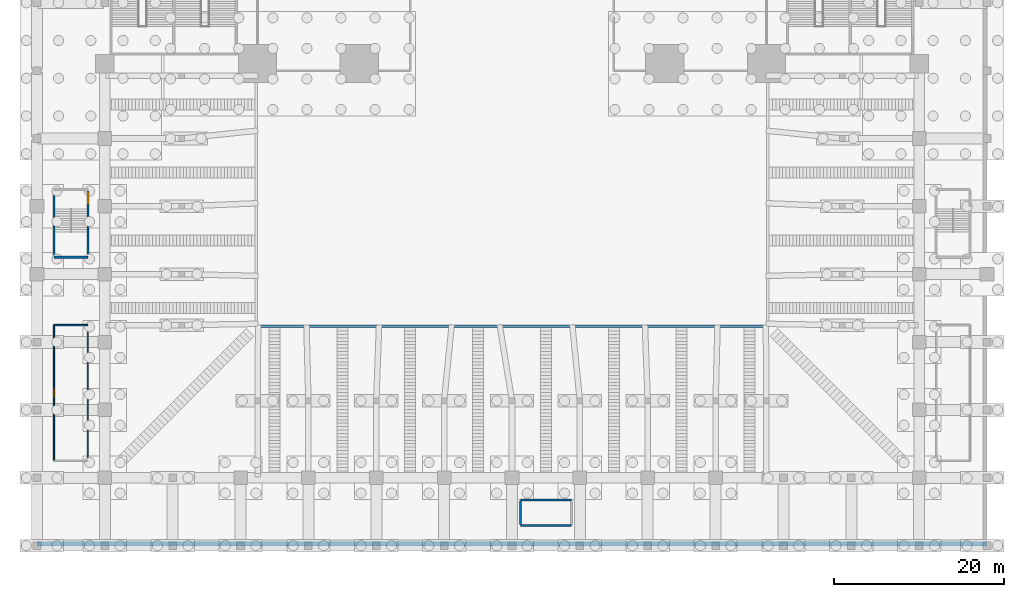
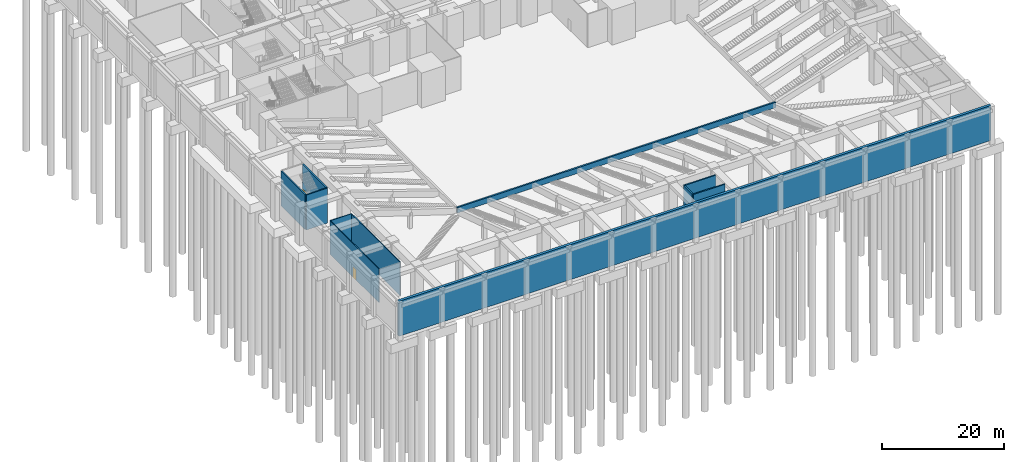
# One storey, part 7 of 30: 11 walls, 2 doors, 2 openings.
"""IFC4 building model written with IfcOpenShell, lengths in metres."""

from ifc_helpers import new_model, si_unit, direction, frame, frame_2d, origin, place, context, subcontext, project, spatial, rectangle, extrude, material, layer, layer_set, type_object, element, fill, save


model = new_model("IFC4")

# Units and contexts
model_context = context("Model", 3, precision=1e-05, world=origin(), true_north=direction((0.0, 1.0)))
body_context = subcontext(model_context, "Body", "Model", "MODEL_VIEW")
ifc_project = project(units=[si_unit("LENGTHUNIT", "METRE"), si_unit("AREAUNIT", "SQUARE_METRE"), si_unit("VOLUMEUNIT", "CUBIC_METRE"), si_unit("PLANEANGLEUNIT", "RADIAN"), si_unit("MASSUNIT", "GRAM", prefix="KILO")], contexts=[model_context])

# Site, building, storey
site_placement = place(None, origin())
site = spatial("IfcSite", under=ifc_project, at=site_placement, CompositionType="ELEMENT")
building_placement = place(site_placement, origin())
building = spatial("IfcBuilding", under=site, at=building_placement, Name="Isbrekke Arena Tower", CompositionType="ELEMENT")
storey_placement = place(building_placement, frame((0.0, 0.0, -7.0)))
storey = spatial("IfcBuildingStorey", under=building, at=storey_placement, Name="B1", CompositionType="ELEMENT", Elevation=-7.0)

# Wall
ifc_material_1 = material(Name="Concrete B45 (C45/55)", Category="concrete")
ifc_layer_1 = layer(ifc_material_1, 0.300048828125)
ifc_layer_set_1 = layer_set([ifc_layer_1], Name="AW2 ARENA PLINTH WALL 300")
wall_type_1 = type_object("IfcWallType", Name="AW2 ARENA PLINTH WALL 300", PredefinedType="SHEAR", material=ifc_layer_set_1)
wall_1_placement = place(storey_placement, frame((-30.14990234375, -48.14990234375, 0.0), z_axis=(0.0, 0.0, 1.0), x_axis=(1.0, 0.0, 0.0)))
element("IfcWall", 1, at=wall_1_placement, inside=storey, type_object=wall_type_1, Name="Arena plinth wall S", PredefinedType="SHEAR", context=body_context, shape_type="SweptSolid", body=[
    extrude(rectangle(XDim=60.2998046875, YDim=0.300048828125, at=frame_2d((30.14990234375, 0.0))), origin(), (0.0, 0.0, 1.0), 1.10009765625),
])

# Wall, opening, door
ifc_material_2 = material(Name="Gypsum board partition on steel studs", Category="steel")
ifc_layer_2 = layer(ifc_material_2, 0.14990234375)
ifc_layer_set_2 = layer_set([ifc_layer_2], Name="IW1 PARTITION 150")
wall_type_2 = type_object("IfcWallType", Name="IW1 PARTITION 150", PredefinedType="PARTITIONING", material=ifc_layer_set_2)
wall_2_placement = place(storey_placement, frame((-54.0, -64.0, 0.0), z_axis=(0.0, 0.0, 1.0), x_axis=(0.0, 1.0, 0.0)))
wall_2 = element("IfcWall", 2, at=wall_2_placement, inside=storey, type_object=wall_type_2, Name="IW1 partition B1", PredefinedType="PARTITIONING", context=body_context, shape_type="SweptSolid", body=[
    extrude(rectangle(XDim=16.0, YDim=0.14990234375, at=frame_2d((8.0, 0.0))), origin(), (0.0, 0.0, 1.0), 6.699951171875),
])
opening_1_placement = place(wall_2_placement, frame((7.5, 0.0, 0.0)))
opening_1 = element("IfcOpeningElement", 3, at=opening_1_placement, cuts=wall_2, Name="Opening D6", PredefinedType="OPENING", context=body_context, shape_type="SweptSolid", body=[
    extrude(rectangle(XDim=1.0, YDim=2.10009765625, at=frame_2d((0.5, 1.050048828125))), frame((0.0, 0.08984375, 0.0), z_axis=(0.0, -1.0, 0.0), x_axis=(1.0, 0.0, 0.0)), (0.0, 0.0, 1.0), 0.1796875),
])
ifc_material_3 = material(Name="Timber door", Category="wood")
door_type_1 = type_object("IfcDoorType", Name="D6 ROOM DOOR 1000 x 2100", OperationType="SINGLE_SWING_LEFT", PredefinedType="DOOR", material=ifc_material_3)
door_1_placement = place(opening_1_placement, origin())
door_1 = element("IfcDoor", 4, at=door_1_placement, inside=storey, type_object=door_type_1, Name="D6 door B1-12", OperationType="SINGLE_SWING_LEFT", OverallHeight=2.10009765625, OverallWidth=1.0, PredefinedType="DOOR", context=body_context, shape_type="SweptSolid", body=[
    extrude(rectangle(XDim=1.0, YDim=2.10009765625, at=frame_2d((0.5, 1.050048828125))), frame((0.0, 0.07470703125, 0.0), z_axis=(0.0, -1.0, 0.0), x_axis=(1.0, 0.0, 0.0)), (0.0, 0.0, 1.0), 0.1494140625),
])
fill(opening_1, door_1)

# Walls
wall_3_placement = place(storey_placement, frame((-50.0, -64.0, 0.0), z_axis=(0.0, 0.0, 1.0), x_axis=(0.0, 1.0, 0.0)))
element("IfcWall", 5, at=wall_3_placement, inside=storey, type_object=wall_type_2, Name="IW1 partition B1", PredefinedType="PARTITIONING", context=body_context, shape_type="SweptSolid", body=[
    extrude(rectangle(XDim=16.0, YDim=0.14990234375, at=frame_2d((8.0, 0.0))), origin(), (0.0, 0.0, 1.0), 6.699951171875),
])
wall_4_placement = place(storey_placement, frame((-54.0, -48.0, 0.0), z_axis=(0.0, 0.0, 1.0), x_axis=(1.0, 0.0, 0.0)))
element("IfcWall", 6, at=wall_4_placement, inside=storey, type_object=wall_type_2, Name="IW1 partition B1", PredefinedType="PARTITIONING", context=body_context, shape_type="SweptSolid", body=[
    extrude(rectangle(XDim=4.0, YDim=0.14990234375, at=frame_2d((2.0, 0.0))), origin(), (0.0, 0.0, 1.0), 6.699951171875),
])
ifc_material_4 = material(Name="Concrete B45 (C45/55)", Category="concrete")
ifc_layer_3 = layer(ifc_material_4, 0.5)
ifc_layer_set_3 = layer_set([ifc_layer_3], Name="RW1 BASEMENT RETAINING WALL 500")
wall_type_3 = type_object("IfcWallType", Name="RW1 BASEMENT RETAINING WALL 500", PredefinedType="SOLIDWALL", material=ifc_layer_set_3)
wall_5_placement = place(storey_placement, frame((-56.0, -73.77490234375, 0.0), z_axis=(0.0, 0.0, 1.0), x_axis=(1.0, 0.0, 0.0)))
element("IfcWall", 7, at=wall_5_placement, inside=storey, type_object=wall_type_3, Name="RW1 retaining wall S", PredefinedType="SOLIDWALL", context=body_context, shape_type="SweptSolid", body=[
    extrude(rectangle(XDim=112.0, YDim=0.5, at=frame_2d((56.0, 0.0))), origin(), (0.0, 0.0, 1.0), 7.0),
])
ifc_material_5 = material(Name="Concrete B45 (C45/55)", Category="concrete")
ifc_layer_4 = layer(ifc_material_5, 0.25)
ifc_layer_set_4 = layer_set([ifc_layer_4], Name="SW1 STAIR ENCLOSURE WALL 250")
wall_type_4 = type_object("IfcWallType", Name="SW1 STAIR ENCLOSURE WALL 250", PredefinedType="SOLIDWALL", material=ifc_layer_set_4)
wall_6_placement = place(storey_placement, frame((-54.0, -40.0, 0.0), z_axis=(0.0, 0.0, 1.0), x_axis=(1.0, 0.0, 0.0)))
element("IfcWall", 8, at=wall_6_placement, inside=storey, type_object=wall_type_4, Name="SW1 stair wall P4 S B1", PredefinedType="SOLIDWALL", context=body_context, shape_type="SweptSolid", body=[
    extrude(rectangle(XDim=4.0, YDim=0.25, at=frame_2d((2.0, 0.0))), origin(), (0.0, 0.0, 1.0), 7.0),
])

# Wall, opening, door
wall_7_placement = place(storey_placement, frame((-50.0, -39.875, 0.0), z_axis=(0.0, 0.0, 1.0), x_axis=(0.0, 1.0, 0.0)))
wall_7 = element("IfcWall", 9, at=wall_7_placement, inside=storey, type_object=wall_type_4, Name="SW1 stair wall P4 E B1", PredefinedType="SOLIDWALL", context=body_context, shape_type="SweptSolid", body=[
    extrude(rectangle(XDim=7.75, YDim=0.25, at=frame_2d((3.875, 0.0))), origin(), (0.0, 0.0, 1.0), 7.0),
])
opening_2_placement = place(wall_7_placement, frame((6.10009765625, 0.0, 0.0)))
opening_2 = element("IfcOpeningElement", 10, at=opening_2_placement, cuts=wall_7, Name="Opening D7", PredefinedType="OPENING", context=body_context, shape_type="SweptSolid", body=[
    extrude(rectangle(XDim=1.60009765625, YDim=2.10009765625, at=frame_2d((0.800048828125, 1.050048828125))), frame((0.0, 0.139892578125, 0.0), z_axis=(0.0, -1.0, 0.0), x_axis=(1.0, 0.0, 0.0)), (0.0, 0.0, 1.0), 0.27978515625),
])
ifc_material_6 = material(Name="Steel fire door", Category="steel")
door_type_2 = type_object("IfcDoorType", Name="D7 PODIUM STAIR DOOR 1600 x 2100", OperationType="DOUBLE_DOOR_SINGLE_SWING", PredefinedType="DOOR", material=ifc_material_6)
door_2_placement = place(opening_2_placement, origin())
door_2 = element("IfcDoor", 11, at=door_2_placement, inside=storey, type_object=door_type_2, Name="D7 stair door P4 B1", OperationType="DOUBLE_DOOR_SINGLE_SWING", OverallHeight=2.10009765625, OverallWidth=1.60009765625, PredefinedType="DOOR", context=body_context, shape_type="SweptSolid", body=[
    extrude(rectangle(XDim=1.60009765625, YDim=2.10009765625, at=frame_2d((0.800048828125, 1.050048828125))), frame((0.0, 0.124755859375, 0.0), z_axis=(0.0, -1.0, 0.0), x_axis=(1.0, 0.0, 0.0)), (0.0, 0.0, 1.0), 0.24951171875),
])
fill(opening_2, door_2)

# Walls
wall_8_placement = place(storey_placement, frame((-54.0, -32.125, 0.0), z_axis=(0.0, 0.0, 1.0), x_axis=(0.0, -1.0, 0.0)))
element("IfcWall", 12, at=wall_8_placement, inside=storey, type_object=wall_type_4, Name="SW1 stair wall P4 W B1", PredefinedType="SOLIDWALL", context=body_context, shape_type="SweptSolid", body=[
    extrude(rectangle(XDim=7.75, YDim=0.25, at=frame_2d((3.875, 0.0))), origin(), (0.0, 0.0, 1.0), 7.0),
])
for number, where, z_axis, x_axis, name in (
    (13, (1.0, -71.60009765625, 0.0), (0.0, 0.0, 1.0), (1.0, 0.0, 0.0), "SW1 stair wall P5 S B1"),
    (14, (7.0, -68.60009765625, 0.0), (0.0, 0.0, 1.0), (-1.0, 0.0, 0.0), "SW1 stair wall P5 N B1"),
):
    element("IfcWall", number, at=place(storey_placement, frame(where, z_axis=z_axis, x_axis=x_axis)), inside=storey, type_object=wall_type_4, Name=name, PredefinedType="SOLIDWALL", context=body_context, shape_type="SweptSolid", body=[
        extrude(rectangle(XDim=6.0, YDim=0.25, at=frame_2d((3.0, 0.0))), origin(), (0.0, 0.0, 1.0), 7.0),
    ])
wall_9_placement = place(storey_placement, frame((1.0, -68.72509765625, 0.0), z_axis=(0.0, 0.0, 1.0), x_axis=(0.0, -1.0, 0.0)))
element("IfcWall", 15, at=wall_9_placement, inside=storey, type_object=wall_type_4, Name="SW1 stair wall P5 W B1", PredefinedType="SOLIDWALL", context=body_context, shape_type="SweptSolid", body=[
    extrude(rectangle(XDim=2.75, YDim=0.25, at=frame_2d((1.375, 0.0))), origin(), (0.0, 0.0, 1.0), 7.0),
])

save(model, "model.ifc")
